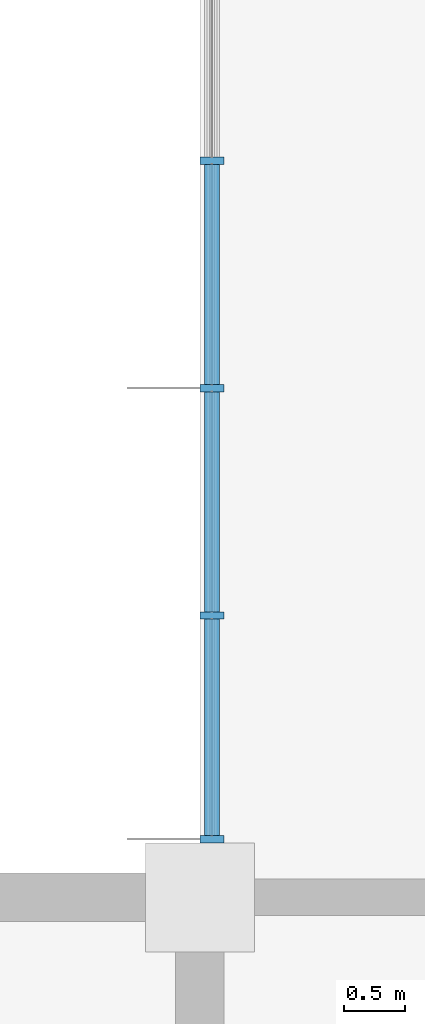
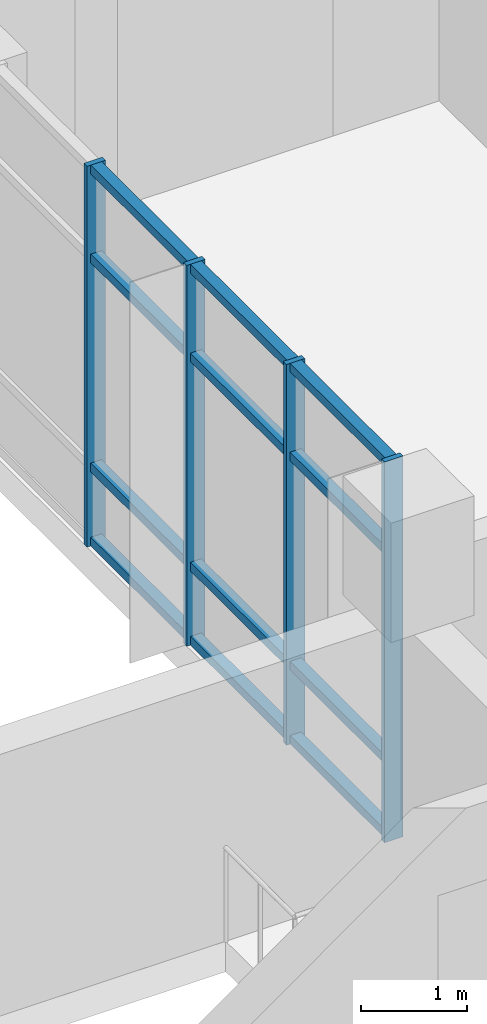
# One storey, part 15 of 70: 16 members, 1 element without a shape of its own.
"""IFC4 building model written with IfcOpenShell, lengths in metres."""

from ifc_helpers import new_model, si_unit, direction, frame, origin, origin_2d, place, context, subcontext, project, spatial, rectangle, extrude, material, material_profile, profile_set, type_object, element, aggregate, save


model = new_model("IFC4")

# Units and contexts
model_context = context("Model", 3, precision=1e-05, world=origin(), true_north=direction((0.0, 1.0)))
body_context = subcontext(model_context, "Body", "Model", "MODEL_VIEW")
ifc_project = project(units=[si_unit("LENGTHUNIT", "METRE"), si_unit("AREAUNIT", "SQUARE_METRE"), si_unit("VOLUMEUNIT", "CUBIC_METRE"), si_unit("PLANEANGLEUNIT", "RADIAN"), si_unit("MASSUNIT", "GRAM", prefix="KILO")], contexts=[model_context])

# Site, building, storey
site_placement = place(None, origin())
site = spatial("IfcSite", under=ifc_project, at=site_placement, CompositionType="ELEMENT")
building_placement = place(site_placement, origin())
building = spatial("IfcBuilding", under=site, at=building_placement, Name="Hlaing Beacon Police Headquarters", CompositionType="ELEMENT")
storey_placement = place(building_placement, frame((0.0, 0.0, 5.39990234375)))
storey = spatial("IfcBuildingStorey", under=building, at=storey_placement, Name="L01", CompositionType="ELEMENT", Elevation=5.39990234375)

# Curtain wall, members
ifc_material_1 = material(Name="Aluminium frame with solar control glazing", Category="aluminium")
curtain_wall_type = type_object("IfcCurtainWallType", Name="Unitised curtain wall 7.50 x 4.37", PredefinedType="NOTDEFINED", material=ifc_material_1)
curtain_wall_placement = place(storey_placement, origin())
curtain_wall = element("IfcCurtainWall", 1, at=curtain_wall_placement, inside=storey, type_object=curtain_wall_type, Name="ENV-CW-L01-W027", PredefinedType="NOTDEFINED")
ifc_material_2 = material(Name="Aluminium", Category="aluminium")
ifc_material_profile_1 = material_profile(ifc_material_2, rectangle(XDim=0.199951171875, YDim=0.06005859375, at=origin_2d()), Name="Mullion 60x200")
ifc_profile_set_1 = profile_set([ifc_material_profile_1], Name="Aluminium")
member_type_1 = type_object("IfcMemberType", Name="Mullion 60x200", PredefinedType="MULLION", material=ifc_profile_set_1)
member_1_placement = place(storey_placement, frame((100.89990234375, 39.675048828125, 0.0), z_axis=(0.0, 0.0, 1.0), x_axis=(1.0, 0.0, 0.0)))
member_1 = element("IfcMember", 2, at=member_1_placement, type_object=member_type_1, Name="CW-L01-W027 mullion 2", PredefinedType="MULLION", context=body_context, shape_type="SweptSolid", body=[
    extrude(rectangle(XDim=0.199951171875, YDim=0.06005859375, at=origin_2d()), origin(), (0.0, 0.0, 1.0), 4.3701171875),
])
member_2_placement = place(storey_placement, frame((100.89990234375, 37.800048828125, 0.0), z_axis=(0.0, 0.0, 1.0), x_axis=(1.0, 0.0, 0.0)))
member_2 = element("IfcMember", 3, at=member_2_placement, type_object=member_type_1, Name="CW-L01-W027 mullion 3", PredefinedType="MULLION", context=body_context, shape_type="SweptSolid", body=[
    extrude(rectangle(XDim=0.199951171875, YDim=0.06005859375, at=origin_2d()), origin(), (0.0, 0.0, 1.0), 4.3701171875),
])
member_3_placement = place(storey_placement, frame((100.89990234375, 35.925048828125, 0.0), z_axis=(0.0, 0.0, 1.0), x_axis=(1.0, 0.0, 0.0)))
member_3 = element("IfcMember", 4, at=member_3_placement, type_object=member_type_1, Name="CW-L01-W027 mullion 4", PredefinedType="MULLION", context=body_context, shape_type="SweptSolid", body=[
    extrude(rectangle(XDim=0.199951171875, YDim=0.06005859375, at=origin_2d()), origin(), (0.0, 0.0, 1.0), 4.3701171875),
])
member_4_placement = place(storey_placement, frame((100.89990234375, 34.080078125, 0.0), z_axis=(0.0, 0.0, 1.0), x_axis=(1.0, 0.0, 0.0)))
member_4 = element("IfcMember", 5, at=member_4_placement, type_object=member_type_1, Name="CW-L01-W027 mullion 5", PredefinedType="MULLION", context=body_context, shape_type="SweptSolid", body=[
    extrude(rectangle(XDim=0.199951171875, YDim=0.06005859375, at=origin_2d()), origin(), (0.0, 0.0, 1.0), 4.3701171875),
])
ifc_material_3 = material(Name="Aluminium", Category="aluminium")
ifc_material_profile_2 = material_profile(ifc_material_3, rectangle(XDim=0.1201171875, YDim=0.10009765625, at=origin_2d()), Name="Transom 120x100")
ifc_profile_set_2 = profile_set([ifc_material_profile_2], Name="Aluminium")
member_type_2 = type_object("IfcMemberType", Name="Transom 120x100", PredefinedType="USERDEFINED", material=ifc_profile_set_2)
member_5_placement = place(storey_placement, frame((100.89990234375, 39.64501953125, 0.050048828125), z_axis=(0.0, -1.0, 0.0), x_axis=(1.0, 0.0, 0.0)))
member_5 = element("IfcMember", 6, at=member_5_placement, type_object=member_type_2, Name="CW-L01-W027 transom 2.1", ObjectType="TRANSOM", PredefinedType="USERDEFINED", context=body_context, shape_type="SweptSolid", body=[
    extrude(rectangle(XDim=0.1201171875, YDim=0.10009765625, at=origin_2d()), origin(), (0.0, 0.0, 1.0), 1.81494140625),
])
member_6_placement = place(storey_placement, frame((100.89990234375, 39.64501953125, 0.900146484375), z_axis=(0.0, -1.0, 0.0), x_axis=(1.0, 0.0, 0.0)))
member_6 = element("IfcMember", 7, at=member_6_placement, type_object=member_type_2, Name="CW-L01-W027 transom 2.2", ObjectType="TRANSOM", PredefinedType="USERDEFINED", context=body_context, shape_type="SweptSolid", body=[
    extrude(rectangle(XDim=0.1201171875, YDim=0.10009765625, at=origin_2d()), origin(), (0.0, 0.0, 1.0), 1.81494140625),
])
member_7_placement = place(storey_placement, frame((100.89990234375, 39.64501953125, 3.300048828125), z_axis=(0.0, -1.0, 0.0), x_axis=(1.0, 0.0, 0.0)))
member_7 = element("IfcMember", 8, at=member_7_placement, type_object=member_type_2, Name="CW-L01-W027 transom 2.3", ObjectType="TRANSOM", PredefinedType="USERDEFINED", context=body_context, shape_type="SweptSolid", body=[
    extrude(rectangle(XDim=0.1201171875, YDim=0.10009765625, at=origin_2d()), origin(), (0.0, 0.0, 1.0), 1.81494140625),
])
member_8_placement = place(storey_placement, frame((100.89990234375, 39.64501953125, 4.320068359375), z_axis=(0.0, -1.0, 0.0), x_axis=(1.0, 0.0, 0.0)))
member_8 = element("IfcMember", 9, at=member_8_placement, type_object=member_type_2, Name="CW-L01-W027 transom 2.4", ObjectType="TRANSOM", PredefinedType="USERDEFINED", context=body_context, shape_type="SweptSolid", body=[
    extrude(rectangle(XDim=0.1201171875, YDim=0.10009765625, at=origin_2d()), origin(), (0.0, 0.0, 1.0), 1.81494140625),
])
member_9_placement = place(storey_placement, frame((100.89990234375, 37.77001953125, 0.050048828125), z_axis=(0.0, -1.0, 0.0), x_axis=(1.0, 0.0, 0.0)))
member_9 = element("IfcMember", 10, at=member_9_placement, type_object=member_type_2, Name="CW-L01-W027 transom 3.1", ObjectType="TRANSOM", PredefinedType="USERDEFINED", context=body_context, shape_type="SweptSolid", body=[
    extrude(rectangle(XDim=0.1201171875, YDim=0.10009765625, at=origin_2d()), origin(), (0.0, 0.0, 1.0), 1.81494140625),
])
member_10_placement = place(storey_placement, frame((100.89990234375, 37.77001953125, 0.900146484375), z_axis=(0.0, -1.0, 0.0), x_axis=(1.0, 0.0, 0.0)))
member_10 = element("IfcMember", 11, at=member_10_placement, type_object=member_type_2, Name="CW-L01-W027 transom 3.2", ObjectType="TRANSOM", PredefinedType="USERDEFINED", context=body_context, shape_type="SweptSolid", body=[
    extrude(rectangle(XDim=0.1201171875, YDim=0.10009765625, at=origin_2d()), origin(), (0.0, 0.0, 1.0), 1.81494140625),
])
member_11_placement = place(storey_placement, frame((100.89990234375, 37.77001953125, 3.300048828125), z_axis=(0.0, -1.0, 0.0), x_axis=(1.0, 0.0, 0.0)))
member_11 = element("IfcMember", 12, at=member_11_placement, type_object=member_type_2, Name="CW-L01-W027 transom 3.3", ObjectType="TRANSOM", PredefinedType="USERDEFINED", context=body_context, shape_type="SweptSolid", body=[
    extrude(rectangle(XDim=0.1201171875, YDim=0.10009765625, at=origin_2d()), origin(), (0.0, 0.0, 1.0), 1.81494140625),
])
member_12_placement = place(storey_placement, frame((100.89990234375, 37.77001953125, 4.320068359375), z_axis=(0.0, -1.0, 0.0), x_axis=(1.0, 0.0, 0.0)))
member_12 = element("IfcMember", 13, at=member_12_placement, type_object=member_type_2, Name="CW-L01-W027 transom 3.4", ObjectType="TRANSOM", PredefinedType="USERDEFINED", context=body_context, shape_type="SweptSolid", body=[
    extrude(rectangle(XDim=0.1201171875, YDim=0.10009765625, at=origin_2d()), origin(), (0.0, 0.0, 1.0), 1.81494140625),
])
member_13_placement = place(storey_placement, frame((100.89990234375, 35.89501953125, 0.050048828125), z_axis=(0.0, -1.0, 0.0), x_axis=(1.0, 0.0, 0.0)))
member_13 = element("IfcMember", 14, at=member_13_placement, type_object=member_type_2, Name="CW-L01-W027 transom 4.1", ObjectType="TRANSOM", PredefinedType="USERDEFINED", context=body_context, shape_type="SweptSolid", body=[
    extrude(rectangle(XDim=0.1201171875, YDim=0.10009765625, at=origin_2d()), origin(), (0.0, 0.0, 1.0), 1.784912109375),
])
member_14_placement = place(storey_placement, frame((100.89990234375, 35.89501953125, 0.900146484375), z_axis=(0.0, -1.0, 0.0), x_axis=(1.0, 0.0, 0.0)))
member_14 = element("IfcMember", 15, at=member_14_placement, type_object=member_type_2, Name="CW-L01-W027 transom 4.2", ObjectType="TRANSOM", PredefinedType="USERDEFINED", context=body_context, shape_type="SweptSolid", body=[
    extrude(rectangle(XDim=0.1201171875, YDim=0.10009765625, at=origin_2d()), origin(), (0.0, 0.0, 1.0), 1.784912109375),
])
member_15_placement = place(storey_placement, frame((100.89990234375, 35.89501953125, 3.300048828125), z_axis=(0.0, -1.0, 0.0), x_axis=(1.0, 0.0, 0.0)))
member_15 = element("IfcMember", 16, at=member_15_placement, type_object=member_type_2, Name="CW-L01-W027 transom 4.3", ObjectType="TRANSOM", PredefinedType="USERDEFINED", context=body_context, shape_type="SweptSolid", body=[
    extrude(rectangle(XDim=0.1201171875, YDim=0.10009765625, at=origin_2d()), origin(), (0.0, 0.0, 1.0), 1.784912109375),
])
member_16_placement = place(storey_placement, frame((100.89990234375, 35.89501953125, 4.320068359375), z_axis=(0.0, -1.0, 0.0), x_axis=(1.0, 0.0, 0.0)))
member_16 = element("IfcMember", 17, at=member_16_placement, type_object=member_type_2, Name="CW-L01-W027 transom 4.4", ObjectType="TRANSOM", PredefinedType="USERDEFINED", context=body_context, shape_type="SweptSolid", body=[
    extrude(rectangle(XDim=0.1201171875, YDim=0.10009765625, at=origin_2d()), origin(), (0.0, 0.0, 1.0), 1.784912109375),
])
aggregate(curtain_wall, [member_1, member_2, member_3, member_4, member_5, member_6, member_7, member_8, member_9, member_10, member_11, member_12, member_13, member_14, member_15, member_16])

save(model, "model.ifc")
